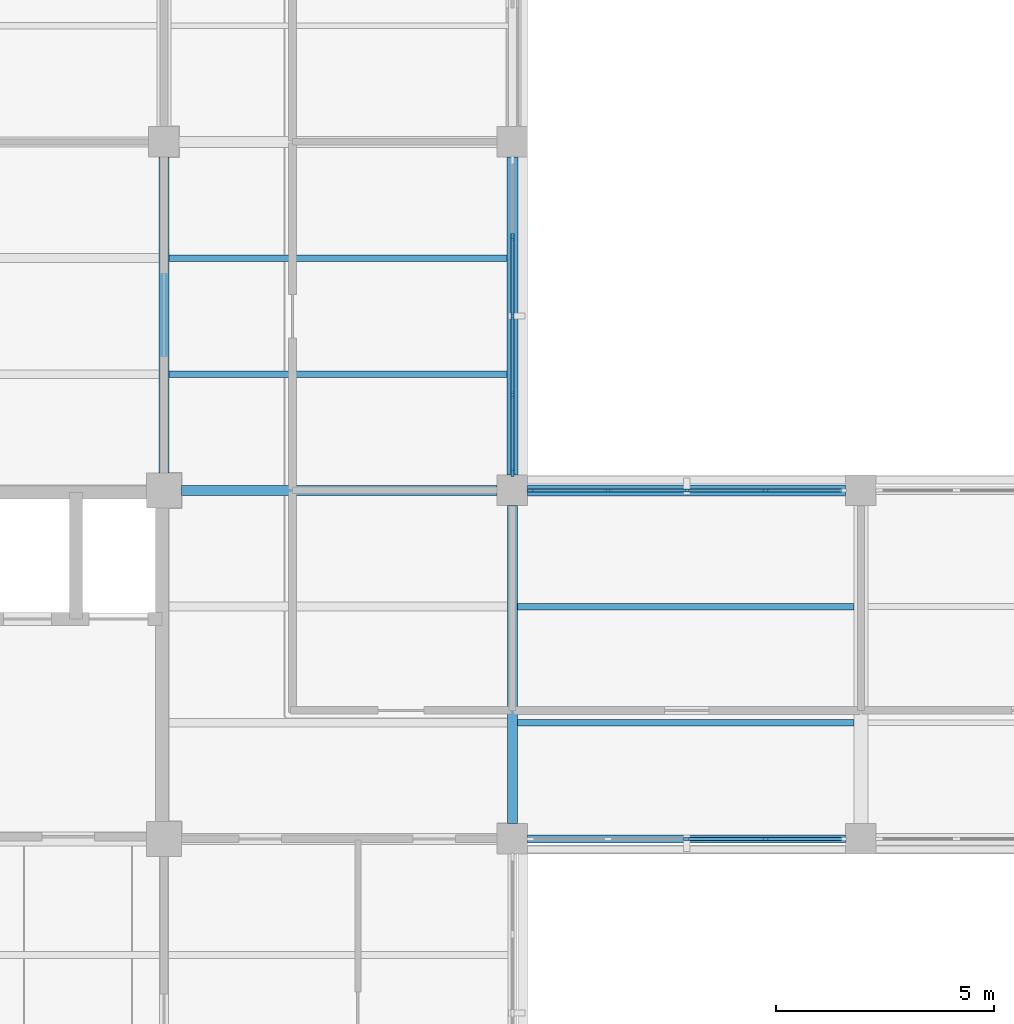
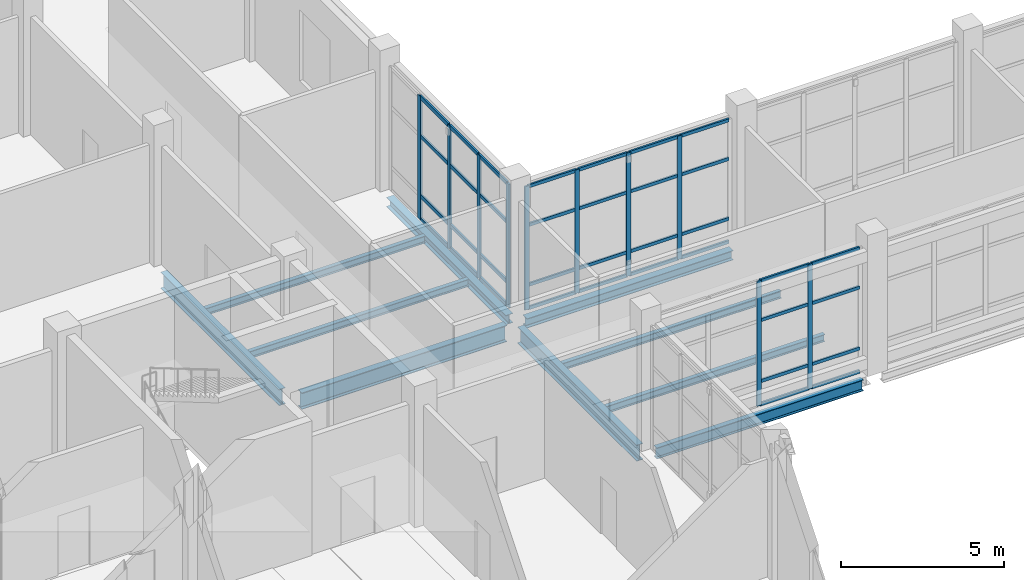
# One storey, part 23 of 105: 46 members, 10 beams, 3 elements without a shape of their own.
"""IFC4 building model written with IfcOpenShell, lengths in metres."""

from ifc_helpers import new_model, si_unit, derived_unit, direction, frame, origin, origin_2d, place, context, subcontext, project, spatial, rectangle, i_section, extrude, material, layer, layer_set, material_profile, profile_set, type_object, element, aggregate, save


model = new_model("IFC4")

# Units and contexts
model_context = context("Model", 3, precision=1e-05, world=origin(), true_north=direction((0.0, 1.0)))
body_context = subcontext(model_context, "Body", "Model", "MODEL_VIEW")
ifc_project = project(units=[si_unit("LENGTHUNIT", "METRE"), si_unit("AREAUNIT", "SQUARE_METRE"), si_unit("VOLUMEUNIT", "CUBIC_METRE"), si_unit("PLANEANGLEUNIT", "RADIAN"), si_unit("MASSUNIT", "GRAM", prefix="KILO"), derived_unit("THERMALTRANSMITTANCEUNIT", [(si_unit("MASSUNIT", "GRAM", prefix="KILO"), 1), (si_unit("TIMEUNIT", "SECOND"), -3), (si_unit("THERMODYNAMICTEMPERATUREUNIT", "KELVIN"), -1)])], contexts=[model_context])

# Site, building, storey
site_placement = place(None, origin())
site = spatial("IfcSite", under=ifc_project, at=site_placement, CompositionType="ELEMENT")
building_placement = place(site_placement, origin())
building = spatial("IfcBuilding", under=site, at=building_placement, Name="Veyamyaing Civic Hall", CompositionType="ELEMENT")
storey_placement = place(building_placement, origin())
storey = spatial("IfcBuildingStorey", under=building, at=storey_placement, Name="L00", CompositionType="ELEMENT", Elevation=0.0)

# Beams
ifc_material_1 = material(Name="Steel ASTM A992", Category="steel")
ifc_material_profile_1 = material_profile(ifc_material_1, i_section(OverallWidth=0.22998046875, OverallDepth=0.616943359375, WebThickness=0.01318359375, FlangeThickness=0.022216796875, FilletRadius=0.012939453125, at=origin_2d()), Name="W610X140")
ifc_profile_set_1 = profile_set([ifc_material_profile_1], Name="Steel ASTM A992")
beam_type_1 = type_object("IfcBeamType", Name="B-05", PredefinedType="BEAM", material=ifc_profile_set_1)
beam_1_placement = place(storey_placement, frame((112.39990234375, 56.0, -0.573486328125), z_axis=(1.0, 0.0, 0.0), x_axis=(0.0, 1.0, 0.0)))
element("IfcBeam", 1, at=beam_1_placement, inside=storey, type_object=beam_type_1, Name="Girder B-05 L00 Grid H 15-16", PredefinedType="BEAM", context=body_context, shape_type="SweptSolid", body=[
    extrude(i_section(OverallWidth=0.22998046875, OverallDepth=0.616943359375, WebThickness=0.01318359375, FlangeThickness=0.022216796875, FilletRadius=0.012939453125, at=origin_2d()), origin(), (0.0, 0.0, 1.0), 7.25),
])
ifc_material_profile_2 = material_profile(ifc_material_1, i_section(OverallWidth=0.22802734375, OverallDepth=0.60791015625, WebThickness=0.01123046875, FlangeThickness=0.017333984375, FilletRadius=0.012939453125, at=origin_2d()), Name="W610X113")
ifc_profile_set_2 = profile_set([ifc_material_profile_2], Name="Steel ASTM A992")
beam_type_2 = type_object("IfcBeamType", Name="B-06", PredefinedType="BEAM", material=ifc_profile_set_2)
beam_2_placement = place(storey_placement, frame((112.0, 56.39990234375, -0.569091796875), z_axis=(0.0, 1.0, 0.0), x_axis=(-1.0, 0.0, 0.0)))
element("IfcBeam", 2, at=beam_2_placement, inside=storey, type_object=beam_type_2, Name="Girder B-06 L00 Grid 15 H-J", PredefinedType="BEAM", context=body_context, shape_type="SweptSolid", body=[
    extrude(i_section(OverallWidth=0.22802734375, OverallDepth=0.60791015625, WebThickness=0.01123046875, FlangeThickness=0.017333984375, FilletRadius=0.012939453125, at=origin_2d()), origin(), (0.0, 0.0, 1.0), 7.25),
])
beam_3_placement = place(storey_placement, frame((120.0, 48.35009765625, -0.569091796875), z_axis=(0.0, 1.0, 0.0), x_axis=(-1.0, 0.0, 0.0)))
element("IfcBeam", 3, at=beam_3_placement, inside=storey, type_object=beam_type_2, Name="Girder B-06 L00 Grid 16 G-H", PredefinedType="BEAM", context=body_context, shape_type="SweptSolid", body=[
    extrude(i_section(OverallWidth=0.22802734375, OverallDepth=0.60791015625, WebThickness=0.01123046875, FlangeThickness=0.017333984375, FilletRadius=0.012939453125, at=origin_2d()), origin(), (0.0, 0.0, 1.0), 7.2998046875),
])
ifc_material_profile_3 = material_profile(ifc_material_1, i_section(OverallWidth=0.180908203125, OverallDepth=0.4169921875, WebThickness=0.010986328125, FlangeThickness=0.018310546875, FilletRadius=0.010009765625, at=origin_2d()), Name="W410X85")
ifc_profile_set_3 = profile_set([ifc_material_profile_3], Name="Steel ASTM A992")
beam_type_3 = type_object("IfcBeamType", Name="B-19", PredefinedType="SPANDREL", material=ifc_profile_set_3)
beam_4_placement = place(storey_placement, frame((120.35009765625, 48.0, -0.473388671875), z_axis=(1.0, 0.0, 0.0), x_axis=(0.0, 1.0, 0.0)))
element("IfcBeam", 4, at=beam_4_placement, inside=storey, type_object=beam_type_3, Name="Girder B-19 L00 Grid G 16-17", PredefinedType="SPANDREL", context=body_context, shape_type="SweptSolid", body=[
    extrude(i_section(OverallWidth=0.180908203125, OverallDepth=0.4169921875, WebThickness=0.010986328125, FlangeThickness=0.018310546875, FilletRadius=0.010009765625, at=origin_2d()), origin(), (0.0, 0.0, 1.0), 7.2998046875),
])
ifc_material_profile_4 = material_profile(ifc_material_1, i_section(OverallWidth=0.25390625, OverallDepth=0.35302734375, WebThickness=0.009521484375, FlangeThickness=0.016357421875, FilletRadius=0.011962890625, at=origin_2d()), Name="W360X91")
ifc_profile_set_4 = profile_set([ifc_material_profile_4], Name="Steel ASTM A992")
beam_type_4 = type_object("IfcBeamType", Name="B-20", PredefinedType="SPANDREL", material=ifc_profile_set_4)
for number, where, z_axis, x_axis, name in (
    (5, (120.35009765625, 56.0, -0.44140625), (1.0, 0.0, 0.0), (0.0, 1.0, 0.0), "Girder B-20 L00 Grid H 16-17"),
    (6, (120.0, 56.35009765625, -0.44140625), (0.0, 1.0, 0.0), (-1.0, 0.0, 0.0), "Girder B-20 L00 Grid 16 H-J"),
):
    element("IfcBeam", number, at=place(storey_placement, frame(where, z_axis=z_axis, x_axis=x_axis)), inside=storey, type_object=beam_type_4, Name=name, PredefinedType="SPANDREL", context=body_context, shape_type="SweptSolid", body=[
        extrude(i_section(OverallWidth=0.25390625, OverallDepth=0.35302734375, WebThickness=0.009521484375, FlangeThickness=0.016357421875, FilletRadius=0.011962890625, at=origin_2d()), origin(), (0.0, 0.0, 1.0), 7.2998046875),
    ])

# Curtain wall, members
ifc_material_2 = material(Name="Anodised aluminium 6063-T6", Category="aluminium")
ifc_layer_1 = layer(ifc_material_2, 0.159912109375, Name="Anodised aluminium 6063-T6")
ifc_layer_set_1 = layer_set([ifc_layer_1], Name="Anodised aluminium 6063-T6")
curtain_wall_type_1 = type_object("IfcCurtainWallType", Name="CW-01", PredefinedType="NOTDEFINED", material=ifc_layer_set_1)
curtain_wall_1_placement = place(storey_placement, origin())
curtain_wall_1 = element("IfcCurtainWall", 7, at=curtain_wall_1_placement, inside=storey, type_object=curtain_wall_type_1, Name="Unitized curtain wall CW-01 L00 S 16.7", PredefinedType="NOTDEFINED")
ifc_material_profile_5 = material_profile(ifc_material_2, rectangle(XDim=0.06494140625, YDim=0.159912109375, at=origin_2d()), Name="ALU-MUL-65X160")
ifc_profile_set_5 = profile_set([ifc_material_profile_5], Name="Anodised aluminium 6063-T6")
member_type_1 = type_object("IfcMemberType", Name="CWM-01", PredefinedType="MULLION", material=ifc_profile_set_5)
member_1_placement = place(storey_placement, frame((124.0, 48.0, 0.0), z_axis=(0.0, 0.0, 1.0), x_axis=(0.0, 1.0, 0.0)))
member_1 = element("IfcMember", 8, at=member_1_placement, type_object=member_type_1, Name="CW-01 mullion 3", PredefinedType="MULLION", context=body_context, shape_type="SweptSolid", body=[
    extrude(rectangle(XDim=0.06494140625, YDim=0.159912109375, at=origin_2d()), origin(), (0.0, 0.0, 1.0), 4.674072265625),
])
member_2_placement = place(storey_placement, frame((125.81005859375, 48.0, 0.0), z_axis=(0.0, 0.0, 1.0), x_axis=(0.0, 1.0, 0.0)))
member_2 = element("IfcMember", 9, at=member_2_placement, type_object=member_type_1, Name="CW-01 mullion 4", PredefinedType="MULLION", context=body_context, shape_type="SweptSolid", body=[
    extrude(rectangle(XDim=0.06494140625, YDim=0.159912109375, at=origin_2d()), origin(), (0.0, 0.0, 1.0), 4.674072265625),
])

curtain_wall_2_placement = place(storey_placement, origin())
curtain_wall_2 = element("IfcCurtainWall", 10, at=curtain_wall_2_placement, inside=storey, type_object=curtain_wall_type_1, Name="Unitized curtain wall CW-01 L00 N 16.7", PredefinedType="NOTDEFINED")
member_3_placement = place(storey_placement, frame((120.41259765625, 56.0, 0.0), z_axis=(0.0, 0.0, 1.0), x_axis=(0.0, 1.0, 0.0)))
member_3 = element("IfcMember", 11, at=member_3_placement, type_object=member_type_1, Name="CW-01 mullion 1", PredefinedType="MULLION", context=body_context, shape_type="SweptSolid", body=[
    extrude(rectangle(XDim=0.06494140625, YDim=0.159912109375, at=origin_2d()), origin(), (0.0, 0.0, 1.0), 4.614013671875),
])
member_4_placement = place(storey_placement, frame((122.18994140625, 56.0, 0.0), z_axis=(0.0, 0.0, 1.0), x_axis=(0.0, 1.0, 0.0)))
member_4 = element("IfcMember", 12, at=member_4_placement, type_object=member_type_1, Name="CW-01 mullion 2", PredefinedType="MULLION", context=body_context, shape_type="SweptSolid", body=[
    extrude(rectangle(XDim=0.06494140625, YDim=0.159912109375, at=origin_2d()), origin(), (0.0, 0.0, 1.0), 4.614013671875),
])
member_5_placement = place(storey_placement, frame((124.0, 56.0, 0.0), z_axis=(0.0, 0.0, 1.0), x_axis=(0.0, 1.0, 0.0)))
member_5 = element("IfcMember", 13, at=member_5_placement, type_object=member_type_1, Name="CW-01 mullion 3", PredefinedType="MULLION", context=body_context, shape_type="SweptSolid", body=[
    extrude(rectangle(XDim=0.06494140625, YDim=0.159912109375, at=origin_2d()), origin(), (0.0, 0.0, 1.0), 4.614013671875),
])
member_6_placement = place(storey_placement, frame((125.81005859375, 56.0, 0.0), z_axis=(0.0, 0.0, 1.0), x_axis=(0.0, 1.0, 0.0)))
member_6 = element("IfcMember", 14, at=member_6_placement, type_object=member_type_1, Name="CW-01 mullion 4", PredefinedType="MULLION", context=body_context, shape_type="SweptSolid", body=[
    extrude(rectangle(XDim=0.06494140625, YDim=0.159912109375, at=origin_2d()), origin(), (0.0, 0.0, 1.0), 4.614013671875),
])

ifc_layer_2 = layer(ifc_material_2, 0.179931640625, Name="Anodised aluminium 6063-T6")
ifc_layer_set_2 = layer_set([ifc_layer_2], Name="Anodised aluminium 6063-T6")
curtain_wall_type_2 = type_object("IfcCurtainWallType", Name="CW-06", PredefinedType="NOTDEFINED", material=ifc_layer_set_2)
curtain_wall_3_placement = place(storey_placement, origin())
curtain_wall_3 = element("IfcCurtainWall", 15, at=curtain_wall_3_placement, inside=storey, type_object=curtain_wall_type_2, Name="Unitized curtain wall CW-06 L00 E 15.8", PredefinedType="NOTDEFINED")
ifc_material_profile_6 = material_profile(ifc_material_2, rectangle(XDim=0.06494140625, YDim=0.179931640625, at=origin_2d()), Name="ALU-MUL-65X180")
ifc_profile_set_6 = profile_set([ifc_material_profile_6], Name="Anodised aluminium 6063-T6")
member_type_2 = type_object("IfcMemberType", Name="CWM-02", PredefinedType="MULLION", material=ifc_profile_set_6)
member_7_placement = place(storey_placement, frame((120.0, 56.41259765625, 0.0), z_axis=(0.0, 0.0, 1.0), x_axis=(-1.0, 0.0, 0.0)))
member_7 = element("IfcMember", 16, at=member_7_placement, type_object=member_type_2, Name="CW-06 mullion 1", PredefinedType="MULLION", context=body_context, shape_type="SweptSolid", body=[
    extrude(rectangle(XDim=0.06494140625, YDim=0.179931640625, at=origin_2d()), origin(), (0.0, 0.0, 1.0), 4.614013671875),
])
member_8_placement = place(storey_placement, frame((120.0, 58.18994140625, 0.0), z_axis=(0.0, 0.0, 1.0), x_axis=(-1.0, 0.0, 0.0)))
member_8 = element("IfcMember", 17, at=member_8_placement, type_object=member_type_2, Name="CW-06 mullion 2", PredefinedType="MULLION", context=body_context, shape_type="SweptSolid", body=[
    extrude(rectangle(XDim=0.06494140625, YDim=0.179931640625, at=origin_2d()), origin(), (0.0, 0.0, 1.0), 4.614013671875),
])
member_9_placement = place(storey_placement, frame((120.0, 60.0, 0.0), z_axis=(0.0, 0.0, 1.0), x_axis=(-1.0, 0.0, 0.0)))
member_9 = element("IfcMember", 18, at=member_9_placement, type_object=member_type_2, Name="CW-06 mullion 3", PredefinedType="MULLION", context=body_context, shape_type="SweptSolid", body=[
    extrude(rectangle(XDim=0.06494140625, YDim=0.179931640625, at=origin_2d()), origin(), (0.0, 0.0, 1.0), 4.614013671875),
])
member_10_placement = place(storey_placement, frame((120.0, 61.81005859375, 0.0), z_axis=(0.0, 0.0, 1.0), x_axis=(-1.0, 0.0, 0.0)))
member_10 = element("IfcMember", 19, at=member_10_placement, type_object=member_type_2, Name="CW-06 mullion 4", PredefinedType="MULLION", context=body_context, shape_type="SweptSolid", body=[
    extrude(rectangle(XDim=0.06494140625, YDim=0.179931640625, at=origin_2d()), origin(), (0.0, 0.0, 1.0), 4.614013671875),
])

# Member
ifc_material_profile_7 = material_profile(ifc_material_2, rectangle(XDim=0.06494140625, YDim=0.1201171875, at=origin_2d()), Name="ALU-TRN-65X120")
ifc_profile_set_7 = profile_set([ifc_material_profile_7], Name="Anodised aluminium 6063-T6")
member_type_3 = type_object("IfcMemberType", Name="CWT-01", PredefinedType="USERDEFINED", material=ifc_profile_set_7)
member_11_placement = place(storey_placement, frame((124.032470703125, 48.0, 0.032470703125), z_axis=(1.0, 0.0, 0.0), x_axis=(0.0, 1.0, 0.0)))
member_11 = element("IfcMember", 20, at=member_11_placement, type_object=member_type_3, Name="CW-01 transom 3.1", ObjectType="TRANSOM", PredefinedType="USERDEFINED", context=body_context, shape_type="SweptSolid", body=[
    extrude(rectangle(XDim=0.06494140625, YDim=0.1201171875, at=origin_2d()), origin(), (0.0, 0.0, 1.0), 1.7451171875),
])

member_12_placement = place(storey_placement, frame((124.032470703125, 48.0, 0.89990234375), z_axis=(1.0, 0.0, 0.0), x_axis=(0.0, 1.0, 0.0)))
member_12 = element("IfcMember", 21, at=member_12_placement, type_object=member_type_3, Name="CW-01 transom 3.2", ObjectType="TRANSOM", PredefinedType="USERDEFINED", context=body_context, shape_type="SweptSolid", body=[
    extrude(rectangle(XDim=0.06494140625, YDim=0.1201171875, at=origin_2d()), origin(), (0.0, 0.0, 1.0), 1.7451171875),
])

member_13_placement = place(storey_placement, frame((124.032470703125, 48.0, 3.17822265625), z_axis=(1.0, 0.0, 0.0), x_axis=(0.0, 1.0, 0.0)))
member_13 = element("IfcMember", 22, at=member_13_placement, type_object=member_type_3, Name="CW-01 transom 3.3", ObjectType="TRANSOM", PredefinedType="USERDEFINED", context=body_context, shape_type="SweptSolid", body=[
    extrude(rectangle(XDim=0.06494140625, YDim=0.1201171875, at=origin_2d()), origin(), (0.0, 0.0, 1.0), 1.7451171875),
])

member_14_placement = place(storey_placement, frame((124.032470703125, 48.0, 4.6416015625), z_axis=(1.0, 0.0, 0.0), x_axis=(0.0, 1.0, 0.0)))
member_14 = element("IfcMember", 23, at=member_14_placement, type_object=member_type_3, Name="CW-01 transom 3.4", ObjectType="TRANSOM", PredefinedType="USERDEFINED", context=body_context, shape_type="SweptSolid", body=[
    extrude(rectangle(XDim=0.06494140625, YDim=0.1201171875, at=origin_2d()), origin(), (0.0, 0.0, 1.0), 1.7451171875),
])

member_15_placement = place(storey_placement, frame((125.842529296875, 48.0, 0.032470703125), z_axis=(1.0, 0.0, 0.0), x_axis=(0.0, 1.0, 0.0)))
member_15 = element("IfcMember", 24, at=member_15_placement, type_object=member_type_3, Name="CW-01 transom 4.1", ObjectType="TRANSOM", PredefinedType="USERDEFINED", context=body_context, shape_type="SweptSolid", body=[
    extrude(rectangle(XDim=0.06494140625, YDim=0.1201171875, at=origin_2d()), origin(), (0.0, 0.0, 1.0), 1.71240234375),
])

member_16_placement = place(storey_placement, frame((125.842529296875, 48.0, 0.89990234375), z_axis=(1.0, 0.0, 0.0), x_axis=(0.0, 1.0, 0.0)))
member_16 = element("IfcMember", 25, at=member_16_placement, type_object=member_type_3, Name="CW-01 transom 4.2", ObjectType="TRANSOM", PredefinedType="USERDEFINED", context=body_context, shape_type="SweptSolid", body=[
    extrude(rectangle(XDim=0.06494140625, YDim=0.1201171875, at=origin_2d()), origin(), (0.0, 0.0, 1.0), 1.71240234375),
])

member_17_placement = place(storey_placement, frame((125.842529296875, 48.0, 3.17822265625), z_axis=(1.0, 0.0, 0.0), x_axis=(0.0, 1.0, 0.0)))
member_17 = element("IfcMember", 26, at=member_17_placement, type_object=member_type_3, Name="CW-01 transom 4.3", ObjectType="TRANSOM", PredefinedType="USERDEFINED", context=body_context, shape_type="SweptSolid", body=[
    extrude(rectangle(XDim=0.06494140625, YDim=0.1201171875, at=origin_2d()), origin(), (0.0, 0.0, 1.0), 1.71240234375),
])

member_18_placement = place(storey_placement, frame((125.842529296875, 48.0, 4.6416015625), z_axis=(1.0, 0.0, 0.0), x_axis=(0.0, 1.0, 0.0)))
member_18 = element("IfcMember", 27, at=member_18_placement, type_object=member_type_3, Name="CW-01 transom 4.4", ObjectType="TRANSOM", PredefinedType="USERDEFINED", context=body_context, shape_type="SweptSolid", body=[
    extrude(rectangle(XDim=0.06494140625, YDim=0.1201171875, at=origin_2d()), origin(), (0.0, 0.0, 1.0), 1.71240234375),
])

aggregate(curtain_wall_1, [member_1, member_2, member_11, member_12, member_13, member_14, member_15, member_16, member_17, member_18])

member_19_placement = place(storey_placement, frame((120.445068359375, 56.0, 0.032470703125), z_axis=(1.0, 0.0, 0.0), x_axis=(0.0, 1.0, 0.0)))
member_19 = element("IfcMember", 28, at=member_19_placement, type_object=member_type_3, Name="CW-01 transom 1.1", ObjectType="TRANSOM", PredefinedType="USERDEFINED", context=body_context, shape_type="SweptSolid", body=[
    extrude(rectangle(XDim=0.06494140625, YDim=0.1201171875, at=origin_2d()), origin(), (0.0, 0.0, 1.0), 1.71240234375),
])

member_20_placement = place(storey_placement, frame((120.445068359375, 56.0, 0.89990234375), z_axis=(1.0, 0.0, 0.0), x_axis=(0.0, 1.0, 0.0)))
member_20 = element("IfcMember", 29, at=member_20_placement, type_object=member_type_3, Name="CW-01 transom 1.2", ObjectType="TRANSOM", PredefinedType="USERDEFINED", context=body_context, shape_type="SweptSolid", body=[
    extrude(rectangle(XDim=0.06494140625, YDim=0.1201171875, at=origin_2d()), origin(), (0.0, 0.0, 1.0), 1.71240234375),
])

member_21_placement = place(storey_placement, frame((120.445068359375, 56.0, 3.137451171875), z_axis=(1.0, 0.0, 0.0), x_axis=(0.0, 1.0, 0.0)))
member_21 = element("IfcMember", 30, at=member_21_placement, type_object=member_type_3, Name="CW-01 transom 1.3", ObjectType="TRANSOM", PredefinedType="USERDEFINED", context=body_context, shape_type="SweptSolid", body=[
    extrude(rectangle(XDim=0.06494140625, YDim=0.1201171875, at=origin_2d()), origin(), (0.0, 0.0, 1.0), 1.71240234375),
])

member_22_placement = place(storey_placement, frame((120.445068359375, 56.0, 4.58154296875), z_axis=(1.0, 0.0, 0.0), x_axis=(0.0, 1.0, 0.0)))
member_22 = element("IfcMember", 31, at=member_22_placement, type_object=member_type_3, Name="CW-01 transom 1.4", ObjectType="TRANSOM", PredefinedType="USERDEFINED", context=body_context, shape_type="SweptSolid", body=[
    extrude(rectangle(XDim=0.06494140625, YDim=0.1201171875, at=origin_2d()), origin(), (0.0, 0.0, 1.0), 1.71240234375),
])

member_23_placement = place(storey_placement, frame((122.222412109375, 56.0, 0.032470703125), z_axis=(1.0, 0.0, 0.0), x_axis=(0.0, 1.0, 0.0)))
member_23 = element("IfcMember", 32, at=member_23_placement, type_object=member_type_3, Name="CW-01 transom 2.1", ObjectType="TRANSOM", PredefinedType="USERDEFINED", context=body_context, shape_type="SweptSolid", body=[
    extrude(rectangle(XDim=0.06494140625, YDim=0.1201171875, at=origin_2d()), origin(), (0.0, 0.0, 1.0), 1.7451171875),
])

member_24_placement = place(storey_placement, frame((122.222412109375, 56.0, 0.89990234375), z_axis=(1.0, 0.0, 0.0), x_axis=(0.0, 1.0, 0.0)))
member_24 = element("IfcMember", 33, at=member_24_placement, type_object=member_type_3, Name="CW-01 transom 2.2", ObjectType="TRANSOM", PredefinedType="USERDEFINED", context=body_context, shape_type="SweptSolid", body=[
    extrude(rectangle(XDim=0.06494140625, YDim=0.1201171875, at=origin_2d()), origin(), (0.0, 0.0, 1.0), 1.7451171875),
])

member_25_placement = place(storey_placement, frame((122.222412109375, 56.0, 3.137451171875), z_axis=(1.0, 0.0, 0.0), x_axis=(0.0, 1.0, 0.0)))
member_25 = element("IfcMember", 34, at=member_25_placement, type_object=member_type_3, Name="CW-01 transom 2.3", ObjectType="TRANSOM", PredefinedType="USERDEFINED", context=body_context, shape_type="SweptSolid", body=[
    extrude(rectangle(XDim=0.06494140625, YDim=0.1201171875, at=origin_2d()), origin(), (0.0, 0.0, 1.0), 1.7451171875),
])

member_26_placement = place(storey_placement, frame((122.222412109375, 56.0, 4.58154296875), z_axis=(1.0, 0.0, 0.0), x_axis=(0.0, 1.0, 0.0)))
member_26 = element("IfcMember", 35, at=member_26_placement, type_object=member_type_3, Name="CW-01 transom 2.4", ObjectType="TRANSOM", PredefinedType="USERDEFINED", context=body_context, shape_type="SweptSolid", body=[
    extrude(rectangle(XDim=0.06494140625, YDim=0.1201171875, at=origin_2d()), origin(), (0.0, 0.0, 1.0), 1.7451171875),
])

member_27_placement = place(storey_placement, frame((124.032470703125, 56.0, 0.032470703125), z_axis=(1.0, 0.0, 0.0), x_axis=(0.0, 1.0, 0.0)))
member_27 = element("IfcMember", 36, at=member_27_placement, type_object=member_type_3, Name="CW-01 transom 3.1", ObjectType="TRANSOM", PredefinedType="USERDEFINED", context=body_context, shape_type="SweptSolid", body=[
    extrude(rectangle(XDim=0.06494140625, YDim=0.1201171875, at=origin_2d()), origin(), (0.0, 0.0, 1.0), 1.7451171875),
])

member_28_placement = place(storey_placement, frame((124.032470703125, 56.0, 0.89990234375), z_axis=(1.0, 0.0, 0.0), x_axis=(0.0, 1.0, 0.0)))
member_28 = element("IfcMember", 37, at=member_28_placement, type_object=member_type_3, Name="CW-01 transom 3.2", ObjectType="TRANSOM", PredefinedType="USERDEFINED", context=body_context, shape_type="SweptSolid", body=[
    extrude(rectangle(XDim=0.06494140625, YDim=0.1201171875, at=origin_2d()), origin(), (0.0, 0.0, 1.0), 1.7451171875),
])

member_29_placement = place(storey_placement, frame((124.032470703125, 56.0, 3.137451171875), z_axis=(1.0, 0.0, 0.0), x_axis=(0.0, 1.0, 0.0)))
member_29 = element("IfcMember", 38, at=member_29_placement, type_object=member_type_3, Name="CW-01 transom 3.3", ObjectType="TRANSOM", PredefinedType="USERDEFINED", context=body_context, shape_type="SweptSolid", body=[
    extrude(rectangle(XDim=0.06494140625, YDim=0.1201171875, at=origin_2d()), origin(), (0.0, 0.0, 1.0), 1.7451171875),
])

member_30_placement = place(storey_placement, frame((124.032470703125, 56.0, 4.58154296875), z_axis=(1.0, 0.0, 0.0), x_axis=(0.0, 1.0, 0.0)))
member_30 = element("IfcMember", 39, at=member_30_placement, type_object=member_type_3, Name="CW-01 transom 3.4", ObjectType="TRANSOM", PredefinedType="USERDEFINED", context=body_context, shape_type="SweptSolid", body=[
    extrude(rectangle(XDim=0.06494140625, YDim=0.1201171875, at=origin_2d()), origin(), (0.0, 0.0, 1.0), 1.7451171875),
])

member_31_placement = place(storey_placement, frame((125.842529296875, 56.0, 0.032470703125), z_axis=(1.0, 0.0, 0.0), x_axis=(0.0, 1.0, 0.0)))
member_31 = element("IfcMember", 40, at=member_31_placement, type_object=member_type_3, Name="CW-01 transom 4.1", ObjectType="TRANSOM", PredefinedType="USERDEFINED", context=body_context, shape_type="SweptSolid", body=[
    extrude(rectangle(XDim=0.06494140625, YDim=0.1201171875, at=origin_2d()), origin(), (0.0, 0.0, 1.0), 1.71240234375),
])

member_32_placement = place(storey_placement, frame((125.842529296875, 56.0, 0.89990234375), z_axis=(1.0, 0.0, 0.0), x_axis=(0.0, 1.0, 0.0)))
member_32 = element("IfcMember", 41, at=member_32_placement, type_object=member_type_3, Name="CW-01 transom 4.2", ObjectType="TRANSOM", PredefinedType="USERDEFINED", context=body_context, shape_type="SweptSolid", body=[
    extrude(rectangle(XDim=0.06494140625, YDim=0.1201171875, at=origin_2d()), origin(), (0.0, 0.0, 1.0), 1.71240234375),
])

member_33_placement = place(storey_placement, frame((125.842529296875, 56.0, 3.137451171875), z_axis=(1.0, 0.0, 0.0), x_axis=(0.0, 1.0, 0.0)))
member_33 = element("IfcMember", 42, at=member_33_placement, type_object=member_type_3, Name="CW-01 transom 4.3", ObjectType="TRANSOM", PredefinedType="USERDEFINED", context=body_context, shape_type="SweptSolid", body=[
    extrude(rectangle(XDim=0.06494140625, YDim=0.1201171875, at=origin_2d()), origin(), (0.0, 0.0, 1.0), 1.71240234375),
])

member_34_placement = place(storey_placement, frame((125.842529296875, 56.0, 4.58154296875), z_axis=(1.0, 0.0, 0.0), x_axis=(0.0, 1.0, 0.0)))
member_34 = element("IfcMember", 43, at=member_34_placement, type_object=member_type_3, Name="CW-01 transom 4.4", ObjectType="TRANSOM", PredefinedType="USERDEFINED", context=body_context, shape_type="SweptSolid", body=[
    extrude(rectangle(XDim=0.06494140625, YDim=0.1201171875, at=origin_2d()), origin(), (0.0, 0.0, 1.0), 1.71240234375),
])

aggregate(curtain_wall_2, [member_3, member_4, member_5, member_6, member_19, member_20, member_21, member_22, member_23, member_24, member_25, member_26, member_27, member_28, member_29, member_30, member_31, member_32, member_33, member_34])

ifc_material_profile_8 = material_profile(ifc_material_2, rectangle(XDim=0.06494140625, YDim=0.139892578125, at=origin_2d()), Name="ALU-TRN-65X140")
ifc_profile_set_8 = profile_set([ifc_material_profile_8], Name="Anodised aluminium 6063-T6")
member_type_4 = type_object("IfcMemberType", Name="CWT-02", PredefinedType="USERDEFINED", material=ifc_profile_set_8)
member_35_placement = place(storey_placement, frame((120.0, 56.445068359375, 0.032470703125), z_axis=(0.0, 1.0, 0.0), x_axis=(-1.0, 0.0, 0.0)))
member_35 = element("IfcMember", 44, at=member_35_placement, type_object=member_type_4, Name="CW-06 transom 1.1", ObjectType="TRANSOM", PredefinedType="USERDEFINED", context=body_context, shape_type="SweptSolid", body=[
    extrude(rectangle(XDim=0.06494140625, YDim=0.139892578125, at=origin_2d()), origin(), (0.0, 0.0, 1.0), 1.71240234375),
])

member_36_placement = place(storey_placement, frame((120.0, 56.445068359375, 0.89990234375), z_axis=(0.0, 1.0, 0.0), x_axis=(-1.0, 0.0, 0.0)))
member_36 = element("IfcMember", 45, at=member_36_placement, type_object=member_type_4, Name="CW-06 transom 1.2", ObjectType="TRANSOM", PredefinedType="USERDEFINED", context=body_context, shape_type="SweptSolid", body=[
    extrude(rectangle(XDim=0.06494140625, YDim=0.139892578125, at=origin_2d()), origin(), (0.0, 0.0, 1.0), 1.71240234375),
])

member_37_placement = place(storey_placement, frame((120.0, 56.445068359375, 3.137451171875), z_axis=(0.0, 1.0, 0.0), x_axis=(-1.0, 0.0, 0.0)))
member_37 = element("IfcMember", 46, at=member_37_placement, type_object=member_type_4, Name="CW-06 transom 1.3", ObjectType="TRANSOM", PredefinedType="USERDEFINED", context=body_context, shape_type="SweptSolid", body=[
    extrude(rectangle(XDim=0.06494140625, YDim=0.139892578125, at=origin_2d()), origin(), (0.0, 0.0, 1.0), 1.71240234375),
])

member_38_placement = place(storey_placement, frame((120.0, 56.445068359375, 4.58154296875), z_axis=(0.0, 1.0, 0.0), x_axis=(-1.0, 0.0, 0.0)))
member_38 = element("IfcMember", 47, at=member_38_placement, type_object=member_type_4, Name="CW-06 transom 1.4", ObjectType="TRANSOM", PredefinedType="USERDEFINED", context=body_context, shape_type="SweptSolid", body=[
    extrude(rectangle(XDim=0.06494140625, YDim=0.139892578125, at=origin_2d()), origin(), (0.0, 0.0, 1.0), 1.71240234375),
])

member_39_placement = place(storey_placement, frame((120.0, 58.222412109375, 0.032470703125), z_axis=(0.0, 1.0, 0.0), x_axis=(-1.0, 0.0, 0.0)))
member_39 = element("IfcMember", 48, at=member_39_placement, type_object=member_type_4, Name="CW-06 transom 2.1", ObjectType="TRANSOM", PredefinedType="USERDEFINED", context=body_context, shape_type="SweptSolid", body=[
    extrude(rectangle(XDim=0.06494140625, YDim=0.139892578125, at=origin_2d()), origin(), (0.0, 0.0, 1.0), 1.7451171875),
])

member_40_placement = place(storey_placement, frame((120.0, 58.222412109375, 0.89990234375), z_axis=(0.0, 1.0, 0.0), x_axis=(-1.0, 0.0, 0.0)))
member_40 = element("IfcMember", 49, at=member_40_placement, type_object=member_type_4, Name="CW-06 transom 2.2", ObjectType="TRANSOM", PredefinedType="USERDEFINED", context=body_context, shape_type="SweptSolid", body=[
    extrude(rectangle(XDim=0.06494140625, YDim=0.139892578125, at=origin_2d()), origin(), (0.0, 0.0, 1.0), 1.7451171875),
])

member_41_placement = place(storey_placement, frame((120.0, 58.222412109375, 3.137451171875), z_axis=(0.0, 1.0, 0.0), x_axis=(-1.0, 0.0, 0.0)))
member_41 = element("IfcMember", 50, at=member_41_placement, type_object=member_type_4, Name="CW-06 transom 2.3", ObjectType="TRANSOM", PredefinedType="USERDEFINED", context=body_context, shape_type="SweptSolid", body=[
    extrude(rectangle(XDim=0.06494140625, YDim=0.139892578125, at=origin_2d()), origin(), (0.0, 0.0, 1.0), 1.7451171875),
])

member_42_placement = place(storey_placement, frame((120.0, 58.222412109375, 4.58154296875), z_axis=(0.0, 1.0, 0.0), x_axis=(-1.0, 0.0, 0.0)))
member_42 = element("IfcMember", 51, at=member_42_placement, type_object=member_type_4, Name="CW-06 transom 2.4", ObjectType="TRANSOM", PredefinedType="USERDEFINED", context=body_context, shape_type="SweptSolid", body=[
    extrude(rectangle(XDim=0.06494140625, YDim=0.139892578125, at=origin_2d()), origin(), (0.0, 0.0, 1.0), 1.7451171875),
])

member_43_placement = place(storey_placement, frame((120.0, 60.032470703125, 0.032470703125), z_axis=(0.0, 1.0, 0.0), x_axis=(-1.0, 0.0, 0.0)))
member_43 = element("IfcMember", 52, at=member_43_placement, type_object=member_type_4, Name="CW-06 transom 3.1", ObjectType="TRANSOM", PredefinedType="USERDEFINED", context=body_context, shape_type="SweptSolid", body=[
    extrude(rectangle(XDim=0.06494140625, YDim=0.139892578125, at=origin_2d()), origin(), (0.0, 0.0, 1.0), 1.7451171875),
])

member_44_placement = place(storey_placement, frame((120.0, 60.032470703125, 0.89990234375), z_axis=(0.0, 1.0, 0.0), x_axis=(-1.0, 0.0, 0.0)))
member_44 = element("IfcMember", 53, at=member_44_placement, type_object=member_type_4, Name="CW-06 transom 3.2", ObjectType="TRANSOM", PredefinedType="USERDEFINED", context=body_context, shape_type="SweptSolid", body=[
    extrude(rectangle(XDim=0.06494140625, YDim=0.139892578125, at=origin_2d()), origin(), (0.0, 0.0, 1.0), 1.7451171875),
])

member_45_placement = place(storey_placement, frame((120.0, 60.032470703125, 3.137451171875), z_axis=(0.0, 1.0, 0.0), x_axis=(-1.0, 0.0, 0.0)))
member_45 = element("IfcMember", 54, at=member_45_placement, type_object=member_type_4, Name="CW-06 transom 3.3", ObjectType="TRANSOM", PredefinedType="USERDEFINED", context=body_context, shape_type="SweptSolid", body=[
    extrude(rectangle(XDim=0.06494140625, YDim=0.139892578125, at=origin_2d()), origin(), (0.0, 0.0, 1.0), 1.7451171875),
])

member_46_placement = place(storey_placement, frame((120.0, 60.032470703125, 4.58154296875), z_axis=(0.0, 1.0, 0.0), x_axis=(-1.0, 0.0, 0.0)))
member_46 = element("IfcMember", 55, at=member_46_placement, type_object=member_type_4, Name="CW-06 transom 3.4", ObjectType="TRANSOM", PredefinedType="USERDEFINED", context=body_context, shape_type="SweptSolid", body=[
    extrude(rectangle(XDim=0.06494140625, YDim=0.139892578125, at=origin_2d()), origin(), (0.0, 0.0, 1.0), 1.7451171875),
])

aggregate(curtain_wall_3, [member_7, member_8, member_9, member_10, member_35, member_36, member_37, member_38, member_39, member_40, member_41, member_42, member_43, member_44, member_45, member_46])

# Beams
ifc_material_profile_9 = material_profile(ifc_material_1, i_section(OverallWidth=0.14794921875, OverallDepth=0.26611328125, WebThickness=0.007568359375, FlangeThickness=0.012939453125, FilletRadius=0.010009765625, at=origin_2d()), Name="W250X45")
ifc_profile_set_9 = profile_set([ifc_material_profile_9], Name="Steel ASTM A992")
beam_type_5 = type_object("IfcBeamType", Name="J-07", PredefinedType="JOIST", material=ifc_profile_set_9)
for number, where, z_axis, x_axis, name in (
    (56, (112.112060546875, 58.666748046875, -0.39794921875), (1.0, 0.0, 0.0), (0.0, 1.0, 0.0), "Composite floor joist J-07 L00 15.8.1"),
    (57, (112.112060546875, 61.333251953125, -0.39794921875), (1.0, 0.0, 0.0), (0.0, 1.0, 0.0), "Composite floor joist J-07 L00 15.8.2"),
):
    element("IfcBeam", number, at=place(storey_placement, frame(where, z_axis=z_axis, x_axis=x_axis)), inside=storey, type_object=beam_type_5, Name=name, PredefinedType="JOIST", context=body_context, shape_type="SweptSolid", body=[
        extrude(i_section(OverallWidth=0.14794921875, OverallDepth=0.26611328125, WebThickness=0.007568359375, FlangeThickness=0.012939453125, FilletRadius=0.010009765625, at=origin_2d()), origin(), (0.0, 0.0, 1.0), 7.762939453125),
    ])
for number, where, z_axis, x_axis, name in (
    (58, (120.112060546875, 50.666748046875, -0.39794921875), (1.0, 0.0, 0.0), (0.0, 1.0, 0.0), "Composite floor joist J-07 L00 16.7.1"),
    (59, (120.112060546875, 53.333251953125, -0.39794921875), (1.0, 0.0, 0.0), (0.0, 1.0, 0.0), "Composite floor joist J-07 L00 16.7.2"),
):
    element("IfcBeam", number, at=place(storey_placement, frame(where, z_axis=z_axis, x_axis=x_axis)), inside=storey, type_object=beam_type_5, Name=name, PredefinedType="JOIST", context=body_context, shape_type="SweptSolid", body=[
        extrude(i_section(OverallWidth=0.14794921875, OverallDepth=0.26611328125, WebThickness=0.007568359375, FlangeThickness=0.012939453125, FilletRadius=0.010009765625, at=origin_2d()), origin(), (0.0, 0.0, 1.0), 7.7275390625),
    ])

save(model, "model.ifc")
